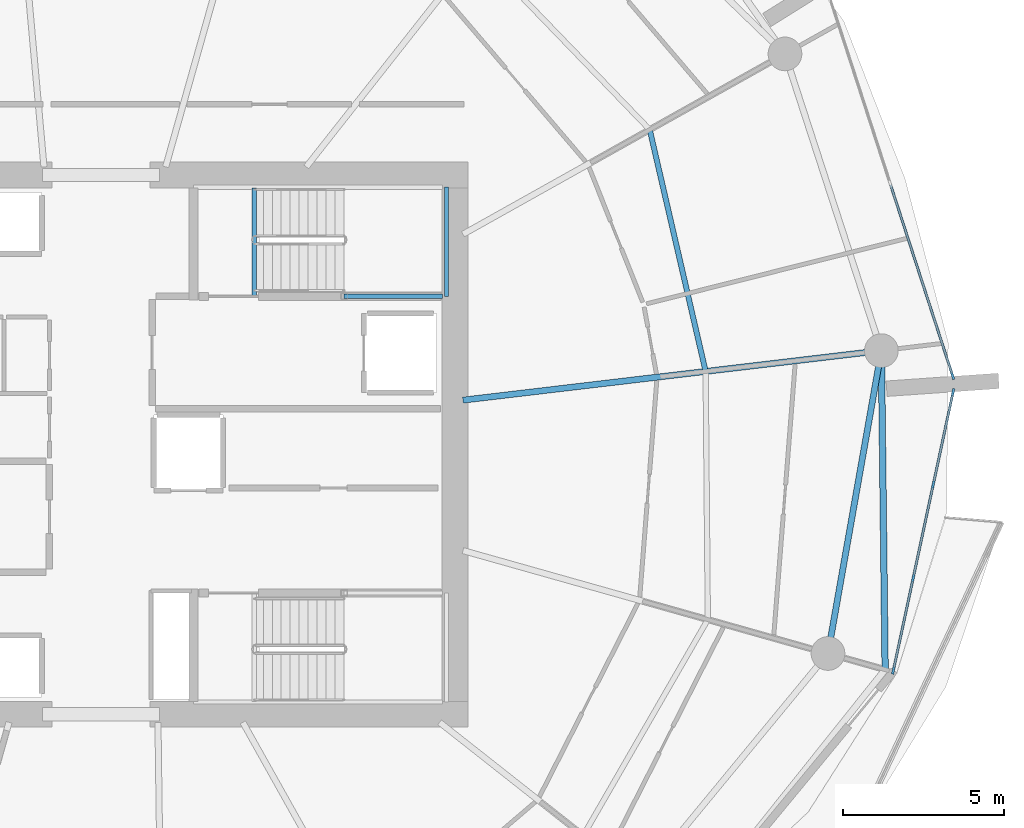
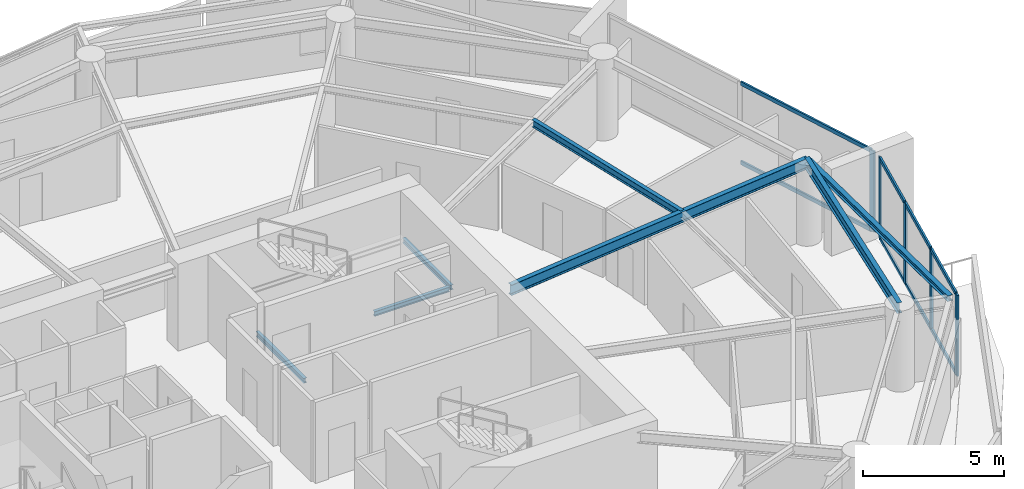
# One storey, part 7 of 20: 13 members, 7 beams, 2 elements without a shape of their own.
"""IFC4 building model written with IfcOpenShell, lengths in metres."""

from ifc_helpers import new_model, si_unit, direction, frame, origin, origin_2d, place, context, subcontext, project, spatial, rectangle, i_section, extrude, material, layer, layer_set, material_profile, profile_set, type_object, element, aggregate, save


model = new_model("IFC4")

# Units and contexts
model_context = context("Model", 3, precision=1e-05, world=origin(), true_north=direction((0.0, 1.0)))
body_context = subcontext(model_context, "Body", "Model", "MODEL_VIEW")
ifc_project = project(units=[si_unit("LENGTHUNIT", "METRE"), si_unit("AREAUNIT", "SQUARE_METRE"), si_unit("VOLUMEUNIT", "CUBIC_METRE"), si_unit("PLANEANGLEUNIT", "RADIAN"), si_unit("MASSUNIT", "GRAM", prefix="KILO")], contexts=[model_context])

# Site, building, storey
site_placement = place(None, origin())
site = spatial("IfcSite", under=ifc_project, at=site_placement, CompositionType="ELEMENT")
building_placement = place(site_placement, origin())
building = spatial("IfcBuilding", under=site, at=building_placement, Name="Kazma Halo Residences", CompositionType="ELEMENT")
storey_placement = place(building_placement, frame((0.0, 0.0, 169.050048828125)))
storey = spatial("IfcBuildingStorey", under=building, at=storey_placement, Name="L42", CompositionType="ELEMENT", Elevation=169.050048828125)

# Beams
ifc_material_1 = material(Name="Steel S355", Category="steel")
ifc_material_profile_1 = material_profile(ifc_material_1, i_section(OverallWidth=0.201904296875, OverallDepth=0.2470703125, WebThickness=0.00732421875, FlangeThickness=0.010986328125, FilletRadius=0.011962890625, at=origin_2d()), Name="W250x49.1")
ifc_profile_set_1 = profile_set([ifc_material_profile_1], Name="Steel S355")
beam_type_1 = type_object("IfcBeamType", Name="BM-BAL-CANT", PredefinedType="BEAM", material=ifc_profile_set_1)
beam_1_placement = place(storey_placement, frame((72.850341796875, 34.991455078125, 3.37646484375), z_axis=(-0.011793371143, 0.99993045578, 0.0), x_axis=(-0.99993045578, -0.011793371143, 0.0)))
element("IfcBeam", 1, at=beam_1_placement, inside=storey, type_object=beam_type_1, Name="L42 wave-balcony tie beam 15", PredefinedType="BEAM", context=body_context, shape_type="SweptSolid", body=[
    extrude(i_section(OverallWidth=0.201904296875, OverallDepth=0.2470703125, WebThickness=0.00732421875, FlangeThickness=0.010986328125, FilletRadius=0.011962890625, at=origin_2d()), origin(), (0.0, 0.0, 1.0), 9.936767578125),
])
ifc_material_profile_2 = material_profile(ifc_material_1, i_section(OverallWidth=0.18994140625, OverallDepth=0.45703125, WebThickness=0.009033203125, FlangeThickness=0.014404296875, FilletRadius=0.01611328125, at=origin_2d()), Name="W460x74")
ifc_profile_set_2 = profile_set([ifc_material_profile_2], Name="Steel S355")
beam_type_2 = type_object("IfcBeamType", Name="BM-RAD-W460", PredefinedType="BEAM", material=ifc_profile_set_2)
beam_2_placement = place(storey_placement, frame((59.699951171875, 43.384765625, 3.271484375), z_axis=(0.993067181848, 0.117548170278, 0.0), x_axis=(-0.117548170278, 0.993067181848, 0.0)))
element("IfcBeam", 2, at=beam_2_placement, inside=storey, type_object=beam_type_2, Name="L42 radial floor beam 16", PredefinedType="BEAM", context=body_context, shape_type="SweptSolid", body=[
    extrude(i_section(OverallWidth=0.18994140625, OverallDepth=0.45703125, WebThickness=0.009033203125, FlangeThickness=0.014404296875, FilletRadius=0.01611328125, at=origin_2d()), origin(), (0.0, 0.0, 1.0), 13.124267578125),
])
ifc_material_profile_3 = material_profile(ifc_material_1, i_section(OverallWidth=0.1650390625, OverallDepth=0.31005859375, WebThickness=0.005859375, FlangeThickness=0.009765625, FilletRadius=0.011962890625, at=origin_2d()), Name="W310x38.7")
ifc_profile_set_3 = profile_set([ifc_material_profile_3], Name="Steel S355")
beam_type_3 = type_object("IfcBeamType", Name="BM-SEC-W310B", PredefinedType="JOIST", material=ifc_profile_set_3)
beam_3_placement = place(storey_placement, frame((67.25927734375, 44.279541015625, 3.344970703125), z_axis=(-0.225330067077, 0.97428248515, 0.0), x_axis=(-0.97428248515, -0.225330067077, 0.0)))
element("IfcBeam", 3, at=beam_3_placement, inside=storey, type_object=beam_type_3, Name="L42 circumferential floor joist 16", PredefinedType="JOIST", context=body_context, shape_type="SweptSolid", body=[
    extrude(i_section(OverallWidth=0.1650390625, OverallDepth=0.31005859375, WebThickness=0.005859375, FlangeThickness=0.009765625, FilletRadius=0.011962890625, at=origin_2d()), origin(), (0.0, 0.0, 1.0), 7.7294921875),
])
ifc_material_profile_4 = material_profile(ifc_material_1, i_section(OverallWidth=0.18994140625, OverallDepth=0.45703125, WebThickness=0.009033203125, FlangeThickness=0.014404296875, FilletRadius=0.01611328125, at=origin_2d()), Name="W460x74")
ifc_profile_set_4 = profile_set([ifc_material_profile_4], Name="Steel S355")
beam_type_4 = type_object("IfcBeamType", Name="BM-SPN-W460", PredefinedType="BEAM", material=ifc_profile_set_4)
beam_4_placement = place(storey_placement, frame((71.06982421875, 35.49365234375, 3.271484375), z_axis=(0.173637033425, 0.984809717978, 0.0), x_axis=(-0.984809717978, 0.173637033425, 0.0)))
element("IfcBeam", 4, at=beam_4_placement, inside=storey, type_object=beam_type_4, Name="L42 perimeter ring beam 15", PredefinedType="BEAM", context=body_context, shape_type="SweptSolid", body=[
    extrude(i_section(OverallWidth=0.18994140625, OverallDepth=0.45703125, WebThickness=0.009033203125, FlangeThickness=0.014404296875, FilletRadius=0.01611328125, at=origin_2d()), origin(), (0.0, 0.0, 1.0), 9.579345703125),
])
ifc_material_profile_5 = material_profile(ifc_material_1, i_section(OverallWidth=0.133056640625, OverallDepth=0.20703125, WebThickness=0.005859375, FlangeThickness=0.00830078125, FilletRadius=0.010009765625, at=origin_2d()), Name="W200x26.6")
ifc_profile_set_5 = profile_set([ifc_material_profile_5], Name="Steel S355")
beam_type_5 = type_object("IfcBeamType", Name="BM-TRIM-W200", PredefinedType="BEAM", material=ifc_profile_set_5)
beam_5_placement = place(storey_placement, frame((53.199951171875, 46.6201171875, -0.360107421875), z_axis=(0.0, 1.0, 0.0), x_axis=(-1.0, 0.0, 0.0)))
element("IfcBeam", 5, at=beam_5_placement, inside=storey, type_object=beam_type_5, Name="L42 ST-02 floor landing support beam", PredefinedType="BEAM", context=body_context, shape_type="SweptSolid", body=[
    extrude(i_section(OverallWidth=0.133056640625, OverallDepth=0.20703125, WebThickness=0.005859375, FlangeThickness=0.00830078125, FilletRadius=0.010009765625, at=origin_2d()), origin(), (0.0, 0.0, 1.0), 3.3798828125),
])
beam_6_placement = place(storey_placement, frame((56.0, 46.6201171875, 1.570068359375), z_axis=(1.0, 0.0, 0.0), x_axis=(0.0, 1.0, 0.0)))
element("IfcBeam", 6, at=beam_6_placement, inside=storey, type_object=beam_type_5, Name="L42 ST-02 landing south wall ledger", PredefinedType="BEAM", context=body_context, shape_type="SweptSolid", body=[
    extrude(i_section(OverallWidth=0.133056640625, OverallDepth=0.20703125, WebThickness=0.005859375, FlangeThickness=0.00830078125, FilletRadius=0.010009765625, at=origin_2d()), origin(), (0.0, 0.0, 1.0), 3.070068359375),
])
beam_7_placement = place(storey_placement, frame((59.18994140625, 46.6201171875, 1.570068359375), z_axis=(0.0, 1.0, 0.0), x_axis=(-1.0, 0.0, 0.0)))
element("IfcBeam", 7, at=beam_7_placement, inside=storey, type_object=beam_type_5, Name="L42 ST-02 landing end wall ledger", PredefinedType="BEAM", context=body_context, shape_type="SweptSolid", body=[
    extrude(i_section(OverallWidth=0.133056640625, OverallDepth=0.20703125, WebThickness=0.005859375, FlangeThickness=0.00830078125, FilletRadius=0.010009765625, at=origin_2d()), origin(), (0.0, 0.0, 1.0), 3.39990234375),
])

# Curtain wall, members
ifc_material_2 = material(Name="Aluminium AW-6063 T6 and Triple-Silver Low-E Glass", Category="aluminium")
ifc_layer = layer(ifc_material_2, 0.219970703125)
ifc_layer_set = layer_set([ifc_layer], Name="Aluminium AW-6063 T6 and Triple-Silver Low-E Glass")
curtain_wall_type = type_object("IfcCurtainWallType", Name="CW-SYS-4", PredefinedType="NOTDEFINED", material=ifc_layer_set)
curtain_wall_1_placement = place(storey_placement, origin())
curtain_wall_1 = element("IfcCurtainWall", 8, at=curtain_wall_1_placement, inside=storey, type_object=curtain_wall_type, Name="L42 unitised curtain wall B15", PredefinedType="NOTDEFINED")
ifc_material_3 = material(Name="Aluminium AW-6063 T6", Category="aluminium")
ifc_material_profile_6 = material_profile(ifc_material_3, rectangle(XDim=0.074951171875, YDim=0.219970703125, at=origin_2d()), Name="CWM-75x220")
ifc_profile_set_6 = profile_set([ifc_material_profile_6], Name="Aluminium AW-6063 T6")
member_type_1 = type_object("IfcMemberType", Name="CW-SYS-4-MUL", PredefinedType="MULLION", material=ifc_profile_set_6)
member_1_placement = place(storey_placement, frame((73.105224609375, 34.95849609375, 0.0), z_axis=(0.0, 0.0, 1.0), x_axis=(-0.977764957684, 0.209703809037, 0.0)))
member_1 = element("IfcMember", 9, at=member_1_placement, type_object=member_type_1, Name="CWS-4 mullion 1", PredefinedType="MULLION", context=body_context, shape_type="SweptSolid", body=[
    extrude(rectangle(XDim=0.074951171875, YDim=0.219970703125, at=origin_2d()), origin(), (0.0, 0.0, 1.0), 3.5),
])
member_2_placement = place(storey_placement, frame((73.72314453125, 37.839111328125, 0.0), z_axis=(0.0, 0.0, 1.0), x_axis=(-0.977764957684, 0.209703809037, 0.0)))
member_2 = element("IfcMember", 10, at=member_2_placement, type_object=member_type_1, Name="CWS-4 mullion 2", PredefinedType="MULLION", context=body_context, shape_type="SweptSolid", body=[
    extrude(rectangle(XDim=0.074951171875, YDim=0.219970703125, at=origin_2d()), origin(), (0.0, 0.0, 1.0), 3.5),
])
member_3_placement = place(storey_placement, frame((74.3486328125, 40.75634765625, 0.0), z_axis=(0.0, 0.0, 1.0), x_axis=(-0.977764957684, 0.209703809037, 0.0)))
member_3 = element("IfcMember", 11, at=member_3_placement, type_object=member_type_1, Name="CWS-4 mullion 3", PredefinedType="MULLION", context=body_context, shape_type="SweptSolid", body=[
    extrude(rectangle(XDim=0.074951171875, YDim=0.219970703125, at=origin_2d()), origin(), (0.0, 0.0, 1.0), 3.5),
])
member_4_placement = place(storey_placement, frame((74.966552734375, 43.63671875, 0.0), z_axis=(0.0, 0.0, 1.0), x_axis=(-0.977764957684, 0.209703809037, 0.0)))
member_4 = element("IfcMember", 12, at=member_4_placement, type_object=member_type_1, Name="CWS-4 mullion 4", PredefinedType="MULLION", context=body_context, shape_type="SweptSolid", body=[
    extrude(rectangle(XDim=0.074951171875, YDim=0.219970703125, at=origin_2d()), origin(), (0.0, 0.0, 1.0), 3.5),
])

# Curtain wall, member
curtain_wall_2_placement = place(storey_placement, origin())
curtain_wall_2 = element("IfcCurtainWall", 13, at=curtain_wall_2_placement, inside=storey, type_object=curtain_wall_type, Name="L42 unitised curtain wall B16", PredefinedType="NOTDEFINED")
member_5_placement = place(storey_placement, frame((74.955810546875, 44.13427734375, 0.0), z_axis=(0.0, 0.0, 1.0), x_axis=(-0.951057547609, -0.3090138203, 0.0)))
member_5 = element("IfcMember", 14, at=member_5_placement, type_object=member_type_1, Name="CWS-4 mullion 1", PredefinedType="MULLION", context=body_context, shape_type="SweptSolid", body=[
    extrude(rectangle(XDim=0.074951171875, YDim=0.219970703125, at=origin_2d()), origin(), (0.0, 0.0, 1.0), 3.5),
])

# Member
ifc_material_profile_7 = material_profile(ifc_material_3, rectangle(XDim=0.074951171875, YDim=0.1650390625, at=origin_2d()), Name="CWT-75x165")
ifc_profile_set_7 = profile_set([ifc_material_profile_7], Name="Aluminium AW-6063 T6")
member_type_2 = type_object("IfcMemberType", Name="CW-SYS-4-TRN", PredefinedType="USERDEFINED", material=ifc_profile_set_7)
member_6_placement = place(storey_placement, frame((73.113037109375, 34.9951171875, 0.037353515625), z_axis=(0.209703309269, 0.977765064871, 0.0), x_axis=(-0.977765064871, 0.209703309269, 0.0)))
member_6 = element("IfcMember", 15, at=member_6_placement, type_object=member_type_2, Name="CWS-4 transom 1.1", ObjectType="TRANSOM", PredefinedType="USERDEFINED", context=body_context, shape_type="SweptSolid", body=[
    extrude(rectangle(XDim=0.074951171875, YDim=0.1650390625, at=origin_2d()), origin(), (0.0, 0.0, 1.0), 2.870849609375),
])

member_7_placement = place(storey_placement, frame((73.113037109375, 34.9951171875, 3.46240234375), z_axis=(0.209703309269, 0.977765064871, 0.0), x_axis=(-0.977765064871, 0.209703309269, 0.0)))
member_7 = element("IfcMember", 16, at=member_7_placement, type_object=member_type_2, Name="CWS-4 transom 1.2", ObjectType="TRANSOM", PredefinedType="USERDEFINED", context=body_context, shape_type="SweptSolid", body=[
    extrude(rectangle(XDim=0.074951171875, YDim=0.1650390625, at=origin_2d()), origin(), (0.0, 0.0, 1.0), 2.870849609375),
])

member_8_placement = place(storey_placement, frame((73.73095703125, 37.875732421875, 0.037353515625), z_axis=(0.209689601293, 0.977768004748, 0.0), x_axis=(-0.977768004748, 0.209689601293, 0.0)))
member_8 = element("IfcMember", 17, at=member_8_placement, type_object=member_type_2, Name="CWS-4 transom 2.1", ObjectType="TRANSOM", PredefinedType="USERDEFINED", context=body_context, shape_type="SweptSolid", body=[
    extrude(rectangle(XDim=0.074951171875, YDim=0.1650390625, at=origin_2d()), origin(), (0.0, 0.0, 1.0), 2.908447265625),
])

member_9_placement = place(storey_placement, frame((73.73095703125, 37.875732421875, 3.46240234375), z_axis=(0.209689601293, 0.977768004748, 0.0), x_axis=(-0.977768004748, 0.209689601293, 0.0)))
member_9 = element("IfcMember", 18, at=member_9_placement, type_object=member_type_2, Name="CWS-4 transom 2.2", ObjectType="TRANSOM", PredefinedType="USERDEFINED", context=body_context, shape_type="SweptSolid", body=[
    extrude(rectangle(XDim=0.074951171875, YDim=0.1650390625, at=origin_2d()), origin(), (0.0, 0.0, 1.0), 2.908447265625),
])

member_10_placement = place(storey_placement, frame((74.356689453125, 40.79296875, 0.037353515625), z_axis=(0.209703309269, 0.977765064871, 0.0), x_axis=(-0.977765064871, 0.209703309269, 0.0)))
member_10 = element("IfcMember", 19, at=member_10_placement, type_object=member_type_2, Name="CWS-4 transom 3.1", ObjectType="TRANSOM", PredefinedType="USERDEFINED", context=body_context, shape_type="SweptSolid", body=[
    extrude(rectangle(XDim=0.074951171875, YDim=0.1650390625, at=origin_2d()), origin(), (0.0, 0.0, 1.0), 2.870849609375),
])

member_11_placement = place(storey_placement, frame((74.356689453125, 40.79296875, 3.46240234375), z_axis=(0.209703309269, 0.977765064871, 0.0), x_axis=(-0.977765064871, 0.209703309269, 0.0)))
member_11 = element("IfcMember", 20, at=member_11_placement, type_object=member_type_2, Name="CWS-4 transom 3.2", ObjectType="TRANSOM", PredefinedType="USERDEFINED", context=body_context, shape_type="SweptSolid", body=[
    extrude(rectangle(XDim=0.074951171875, YDim=0.1650390625, at=origin_2d()), origin(), (0.0, 0.0, 1.0), 2.870849609375),
])

aggregate(curtain_wall_1, [member_1, member_2, member_3, member_4, member_6, member_7, member_8, member_9, member_10, member_11])

member_12_placement = place(storey_placement, frame((74.9443359375, 44.169921875, 0.037353515625), z_axis=(-0.309006258762, 0.95106000444, 0.0), x_axis=(-0.95106000444, -0.309006258762, 0.0)))
member_12 = element("IfcMember", 21, at=member_12_placement, type_object=member_type_2, Name="CWS-4 transom 1.1", ObjectType="TRANSOM", PredefinedType="USERDEFINED", context=body_context, shape_type="SweptSolid", body=[
    extrude(rectangle(XDim=0.074951171875, YDim=0.1650390625, at=origin_2d()), origin(), (0.0, 0.0, 1.0), 6.22509765625),
])

member_13_placement = place(storey_placement, frame((74.9443359375, 44.169921875, 3.46240234375), z_axis=(-0.309006258762, 0.95106000444, 0.0), x_axis=(-0.95106000444, -0.309006258762, 0.0)))
member_13 = element("IfcMember", 22, at=member_13_placement, type_object=member_type_2, Name="CWS-4 transom 1.2", ObjectType="TRANSOM", PredefinedType="USERDEFINED", context=body_context, shape_type="SweptSolid", body=[
    extrude(rectangle(XDim=0.074951171875, YDim=0.1650390625, at=origin_2d()), origin(), (0.0, 0.0, 1.0), 6.22509765625),
])

aggregate(curtain_wall_2, [member_5, member_12, member_13])

save(model, "model.ifc")
